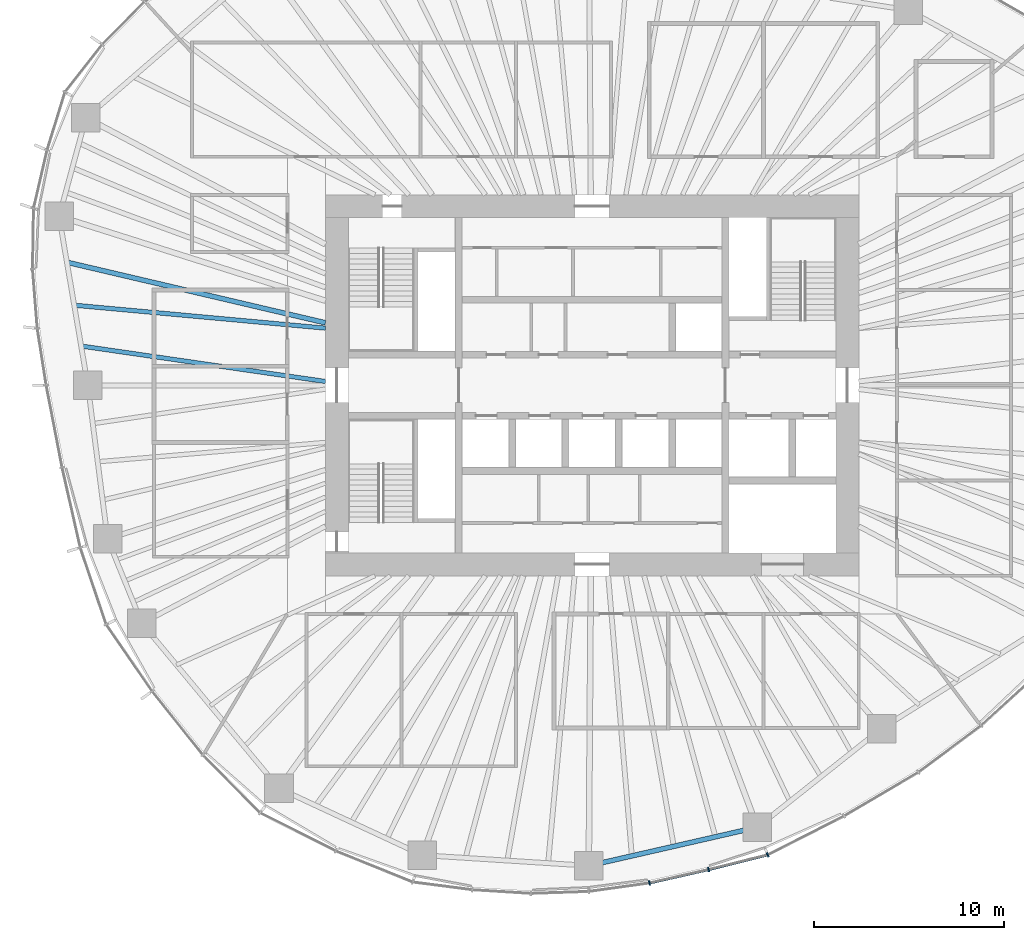
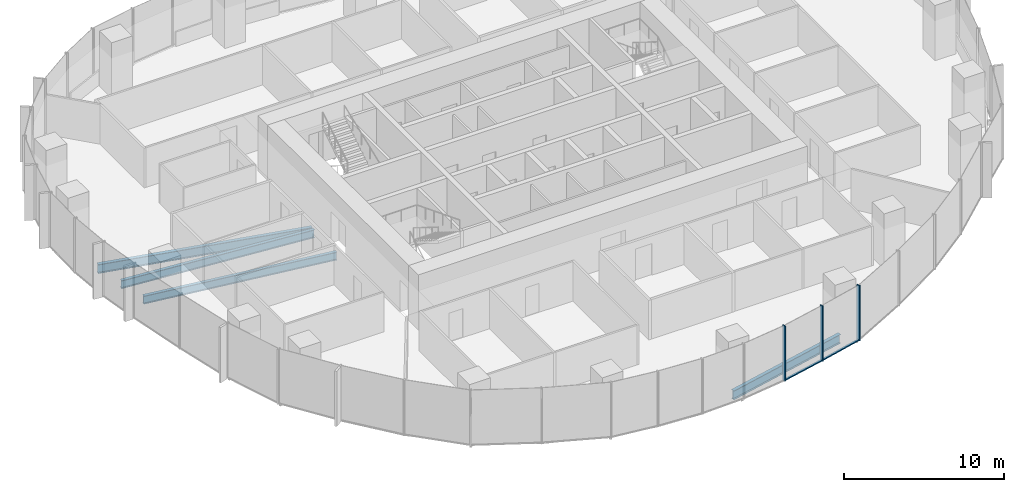
# One storey, part 3 of 18: 5 members, 4 beams, 2 elements without a shape of their own.
"""IFC4 building model written with IfcOpenShell, lengths in metres."""

from ifc_helpers import new_model, si_unit, direction, frame, origin, origin_2d, place, context, subcontext, project, spatial, rectangle, i_section, extrude, material, material_profile, profile_set, type_object, element, aggregate, save


model = new_model("IFC4")

# Units and contexts
model_context = context("Model", 3, precision=1e-05, world=origin(), true_north=direction((0.0, 1.0)))
body_context = subcontext(model_context, "Body", "Model", "MODEL_VIEW")
ifc_project = project(units=[si_unit("LENGTHUNIT", "METRE"), si_unit("AREAUNIT", "SQUARE_METRE"), si_unit("VOLUMEUNIT", "CUBIC_METRE"), si_unit("PLANEANGLEUNIT", "RADIAN"), si_unit("MASSUNIT", "GRAM", prefix="KILO")], contexts=[model_context])

# Site, building, storey
site_placement = place(None, origin())
site = spatial("IfcSite", under=ifc_project, at=site_placement, CompositionType="ELEMENT")
building_placement = place(site_placement, origin())
building = spatial("IfcBuilding", under=site, at=building_placement, Name="Ghaith Harvest Tower", CompositionType="ELEMENT")
storey_placement = place(building_placement, frame((0.0, 0.0, 126.0)))
storey = spatial("IfcBuildingStorey", under=building, at=storey_placement, Name="L26", CompositionType="ELEMENT", Elevation=126.0)

# Curtain wall, members
ifc_material_1 = material(Name="Black anodised aluminium and fritted glass", Category="aluminium")
curtain_wall_type = type_object("IfcCurtainWallType", Name="CW-L CURTAIN WALL", PredefinedType="NOTDEFINED", material=ifc_material_1)
curtain_wall_1_placement = place(storey_placement, origin())
curtain_wall_1 = element("IfcCurtainWall", 1, at=curtain_wall_1_placement, inside=storey, type_object=curtain_wall_type, Name="Curtain wall CW-L bay 16 L26", PredefinedType="NOTDEFINED")
ifc_material_2 = material(Name="Aluminium, black anodised", Category="aluminium")
ifc_material_profile_1 = material_profile(ifc_material_2, rectangle(XDim=0.080078125, YDim=0.239990234375, at=origin_2d()), Name="CW-L MULLION 80x240")
ifc_profile_set_1 = profile_set([ifc_material_profile_1], Name="Aluminium, black anodised")
member_type_1 = type_object("IfcMemberType", Name="CW-L MULLION 80x240", PredefinedType="MULLION", material=ifc_profile_set_1)
member_1_placement = place(storey_placement, frame((3.010009765625, -26.12939453125, 0.0), z_axis=(0.0, 0.0, 1.0), x_axis=(0.983806317978, 0.179234842337, 0.0)))
member_1 = element("IfcMember", 2, at=member_1_placement, type_object=member_type_1, Name="CW-L mullion 2 bay 16 L26", PredefinedType="MULLION", context=body_context, shape_type="SweptSolid", body=[
    extrude(rectangle(XDim=0.080078125, YDim=0.239990234375, at=origin_2d()), origin(), (0.0, 0.0, 1.0), 4.199951171875),
])
member_2_placement = place(storey_placement, frame((6.1201171875, -25.425537109375, 0.0), z_axis=(0.0, 0.0, 1.0), x_axis=(0.972918144681, 0.231149916179, 0.0)))
member_2 = element("IfcMember", 3, at=member_2_placement, type_object=member_type_1, Name="CW-L mullion 3 bay 16 L26", PredefinedType="MULLION", context=body_context, shape_type="SweptSolid", body=[
    extrude(rectangle(XDim=0.080078125, YDim=0.239990234375, at=origin_2d()), origin(), (0.0, 0.0, 1.0), 4.199951171875),
])

# Curtain wall, member
curtain_wall_2_placement = place(storey_placement, origin())
curtain_wall_2 = element("IfcCurtainWall", 4, at=curtain_wall_2_placement, inside=storey, type_object=curtain_wall_type, Name="Curtain wall CW-L bay 17 L26", PredefinedType="NOTDEFINED")
member_3_placement = place(storey_placement, frame((9.216796875, -24.654541015625, 0.0), z_axis=(0.0, 0.0, 1.0), x_axis=(0.929831847154, 0.367984695358, 0.0)))
member_3 = element("IfcMember", 5, at=member_3_placement, type_object=member_type_1, Name="CW-L mullion 1 bay 17 L26", PredefinedType="MULLION", context=body_context, shape_type="SweptSolid", body=[
    extrude(rectangle(XDim=0.080078125, YDim=0.239990234375, at=origin_2d()), origin(), (0.0, 0.0, 1.0), 4.199951171875),
])
aggregate(curtain_wall_2, [member_3])

# Member
ifc_material_3 = material(Name="Aluminium, black anodised", Category="aluminium")
ifc_material_profile_2 = material_profile(ifc_material_3, rectangle(XDim=0.14990234375, YDim=0.080078125, at=origin_2d()), Name="CW-L TRANSOM 150x80")
ifc_profile_set_2 = profile_set([ifc_material_profile_2], Name="Aluminium, black anodised")
member_type_2 = type_object("IfcMemberType", Name="CW-L TRANSOM 150x80", PredefinedType="USERDEFINED", material=ifc_profile_set_2)
member_4_placement = place(storey_placement, frame((3.048828125, -26.120361328125, 0.0400390625), z_axis=(0.975352213651, 0.22065370907, 0.0), x_axis=(-0.22065370907, 0.975352213651, 0.0)))
member_4 = element("IfcMember", 6, at=member_4_placement, type_object=member_type_2, Name="CW-L transom 2 bay 16 L26", ObjectType="TRANSOM", PredefinedType="USERDEFINED", context=body_context, shape_type="SweptSolid", body=[
    extrude(rectangle(XDim=0.14990234375, YDim=0.080078125, at=origin_2d()), origin(), (0.0, 0.0, 1.0), 3.109130859375),
])

member_5_placement = place(storey_placement, frame((6.158935546875, -25.415771484375, 0.0400390625), z_axis=(0.97039125345, 0.241538434265, 0.0), x_axis=(-0.241538434265, 0.97039125345, 0.0)))
member_5 = element("IfcMember", 7, at=member_5_placement, type_object=member_type_2, Name="CW-L transom 3 bay 16 L26", ObjectType="TRANSOM", PredefinedType="USERDEFINED", context=body_context, shape_type="SweptSolid", body=[
    extrude(rectangle(XDim=0.14990234375, YDim=0.080078125, at=origin_2d()), origin(), (0.0, 0.0, 1.0), 3.111083984375),
])

aggregate(curtain_wall_1, [member_1, member_4, member_2, member_5])

# Beams
ifc_material_4 = material(Name="Steel ASTM A992 Grade 50", Category="steel")
ifc_material_profile_3 = material_profile(ifc_material_4, i_section(OverallWidth=0.25390625, OverallDepth=0.68408203125, WebThickness=0.012451171875, FlangeThickness=0.018798828125, at=origin_2d()), Name="W690X140")
ifc_profile_set_3 = profile_set([ifc_material_profile_3], Name="Steel ASTM A992 Grade 50")
beam_type_1 = type_object("IfcBeamType", Name="E690-140 W690X140", PredefinedType="SPANDREL", material=ifc_profile_set_3)
beam_1_placement = place(storey_placement, frame((-0.173095703125, -25.22412109375, -0.511962890625), z_axis=(0.974881709383, 0.22272326486, 0.0), x_axis=(-0.22272326486, 0.974881709383, 0.0)))
element("IfcBeam", 8, at=beam_1_placement, inside=storey, type_object=beam_type_1, Name="Edge beam E16 L26", PredefinedType="SPANDREL", context=body_context, shape_type="SweptSolid", body=[
    extrude(i_section(OverallWidth=0.25390625, OverallDepth=0.68408203125, WebThickness=0.012451171875, FlangeThickness=0.018798828125, at=origin_2d()), origin(), (0.0, 0.0, 1.0), 9.0751953125),
])
ifc_material_5 = material(Name="Steel ASTM A992 Grade 50", Category="steel")
ifc_material_profile_4 = material_profile(ifc_material_5, i_section(OverallWidth=0.22900390625, OverallDepth=0.612060546875, WebThickness=0.011962890625, FlangeThickness=0.01953125, at=origin_2d()), Name="W610X125")
ifc_profile_set_4 = profile_set([ifc_material_profile_4], Name="Steel ASTM A992 Grade 50")
beam_type_2 = type_object("IfcBeamType", Name="J610-125 W610X125", PredefinedType="JOIST", material=ifc_profile_set_4)
beam_2_placement = place(storey_placement, frame((-14.0, 3.0, -0.47607421875), z_axis=(-0.995849123151, 0.091019360137, 0.0), x_axis=(-0.091019360137, -0.995849123151, 0.0)))
element("IfcBeam", 9, at=beam_2_placement, inside=storey, type_object=beam_type_2, Name="Joist J10.2 L26", PredefinedType="JOIST", context=body_context, shape_type="SweptSolid", body=[
    extrude(i_section(OverallWidth=0.22900390625, OverallDepth=0.612060546875, WebThickness=0.011962890625, FlangeThickness=0.01953125, at=origin_2d()), origin(), (0.0, 0.0, 1.0), 13.2451171875),
])
beam_3_placement = place(storey_placement, frame((-14.0, 0.199951171875, -0.47607421875), z_axis=(-0.989622120656, 0.143694322465, 0.0), x_axis=(-0.143694322465, -0.989622120656, 0.0)))
element("IfcBeam", 10, at=beam_3_placement, inside=storey, type_object=beam_type_2, Name="Joist J10.3 L26", PredefinedType="JOIST", context=body_context, shape_type="SweptSolid", body=[
    extrude(i_section(OverallWidth=0.22900390625, OverallDepth=0.612060546875, WebThickness=0.011962890625, FlangeThickness=0.01953125, at=origin_2d()), origin(), (0.0, 0.0, 1.0), 12.960205078125),
])
ifc_material_6 = material(Name="Steel ASTM A992 Grade 50", Category="steel")
ifc_material_profile_5 = material_profile(ifc_material_6, i_section(OverallWidth=0.25390625, OverallDepth=0.68408203125, WebThickness=0.012451171875, FlangeThickness=0.018798828125, at=origin_2d()), Name="W690X140")
ifc_profile_set_5 = profile_set([ifc_material_profile_5], Name="Steel ASTM A992 Grade 50")
beam_type_3 = type_object("IfcBeamType", Name="J690-140 W690X140", PredefinedType="JOIST", material=ifc_profile_set_5)
beam_4_placement = place(storey_placement, frame((-14.0, 3.280517578125, -0.511962890625), z_axis=(-0.973623240284, 0.228161753978, 0.0), x_axis=(-0.228161753978, -0.973623240284, 0.0)))
element("IfcBeam", 11, at=beam_4_placement, inside=storey, type_object=beam_type_3, Name="Joist J10.1 L26", PredefinedType="JOIST", context=body_context, shape_type="SweptSolid", body=[
    extrude(i_section(OverallWidth=0.25390625, OverallDepth=0.68408203125, WebThickness=0.012451171875, FlangeThickness=0.018798828125, at=origin_2d()), origin(), (0.0, 0.0, 1.0), 13.94140625),
])

save(model, "model.ifc")
